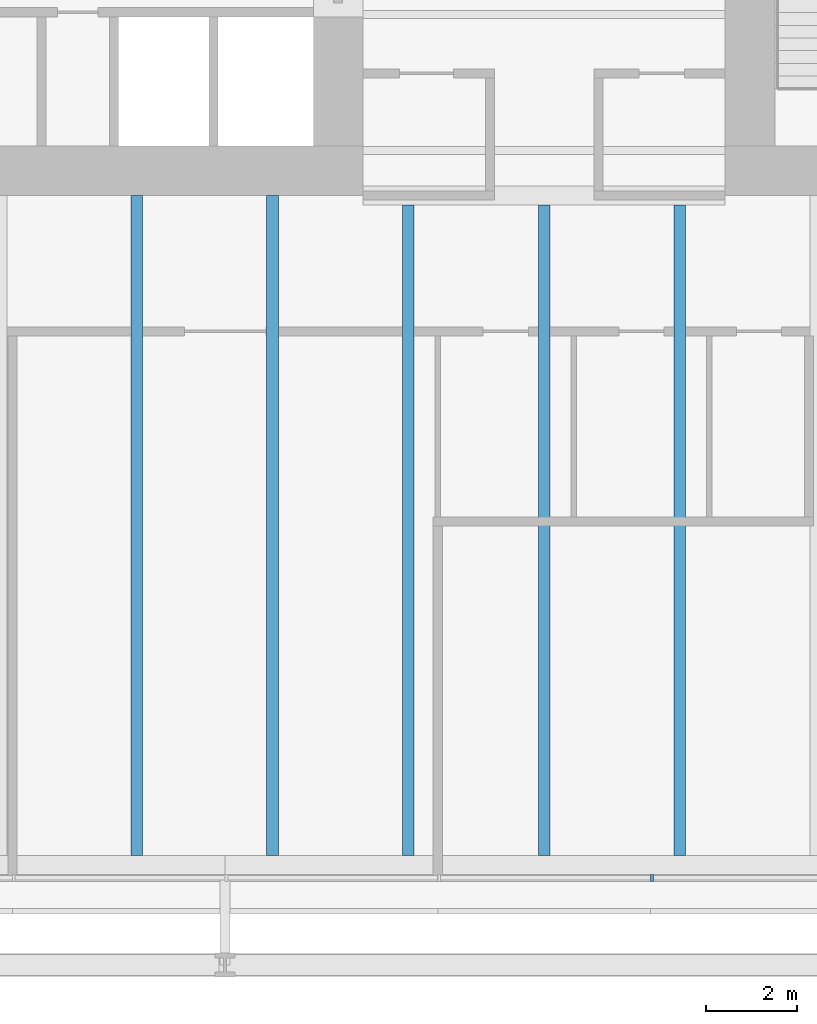
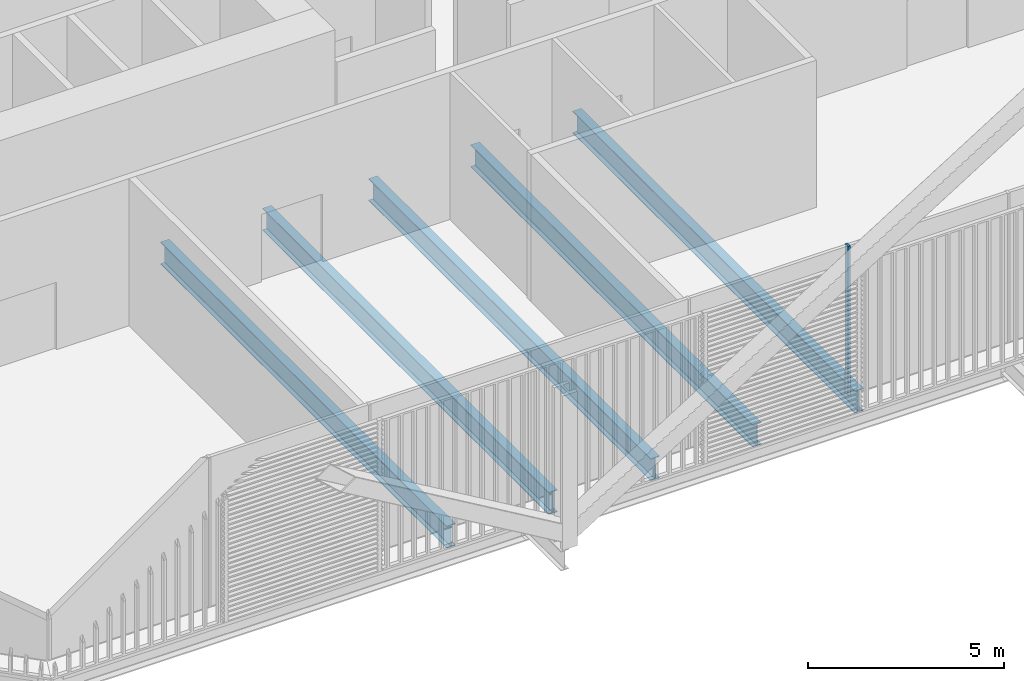
# One storey, part 4 of 22: 5 beams, 1 member, 1 element without a shape of its own.
"""IFC4 building model written with IfcOpenShell, lengths in metres."""

from ifc_helpers import new_model, si_unit, direction, frame, origin, origin_2d, place, context, subcontext, project, spatial, rectangle, i_section, extrude, material, layer, layer_set, material_profile, profile_set, type_object, element, aggregate, save


model = new_model("IFC4")

# Units and contexts
model_context = context("Model", 3, precision=1e-05, world=origin(), true_north=direction((0.0, 1.0)))
body_context = subcontext(model_context, "Body", "Model", "MODEL_VIEW")
ifc_project = project(units=[si_unit("LENGTHUNIT", "METRE"), si_unit("AREAUNIT", "SQUARE_METRE"), si_unit("VOLUMEUNIT", "CUBIC_METRE"), si_unit("PLANEANGLEUNIT", "RADIAN"), si_unit("MASSUNIT", "GRAM", prefix="KILO")], contexts=[model_context])

# Site, building, storey
site_placement = place(None, origin())
site = spatial("IfcSite", under=ifc_project, at=site_placement, CompositionType="ELEMENT")
building_placement = place(site_placement, origin())
building = spatial("IfcBuilding", under=site, at=building_placement, Name="Millrace Tower", CompositionType="ELEMENT")
storey_placement = place(building_placement, frame((0.0, 0.0, 20.89990234375)))
storey = spatial("IfcBuildingStorey", under=building, at=storey_placement, Name="L05", CompositionType="ELEMENT", Elevation=20.89990234375)

# Curtain wall, member
ifc_material_1 = material(Name="Aluminium and glass", Category="aluminium")
ifc_layer = layer(ifc_material_1, 0.14990234375)
ifc_layer_set = layer_set([ifc_layer], Name="Aluminium and glass")
curtain_wall_type = type_object("IfcCurtainWallType", Name="CW-2 data hall insulated curtain wall", PredefinedType="NOTDEFINED", material=ifc_layer_set)
curtain_wall_placement = place(storey_placement, origin())
curtain_wall = element("IfcCurtainWall", 1, at=curtain_wall_placement, inside=storey, type_object=curtain_wall_type, Name="Curtain wall A-F02 L05", PredefinedType="NOTDEFINED")
ifc_material_2 = material(Name="Aluminium", Category="aluminium")
ifc_material_profile_1 = material_profile(ifc_material_2, rectangle(XDim=0.06494140625, YDim=0.14990234375, at=origin_2d()))
ifc_profile_set_1 = profile_set([ifc_material_profile_1], Name="Aluminium")
member_type = type_object("IfcMemberType", Name="CW-2 data hall insulated curtain wall mullion", PredefinedType="MULLION", material=ifc_profile_set_1)
member_placement = place(storey_placement, frame((2.382568359375, -25.074951171875, 0.16015625), z_axis=(0.0, 0.0, 1.0), x_axis=(1.0, 0.0, 0.0)))
member = element("IfcMember", 2, at=member_placement, type_object=member_type, Name="CW2 mullion A-F02.6", PredefinedType="MULLION", context=body_context, shape_type="SweptSolid", body=[
    extrude(rectangle(XDim=0.06494140625, YDim=0.14990234375, at=origin_2d()), origin(), (0.0, 0.0, 1.0), 4.639892578125),
])
aggregate(curtain_wall, [member])

# Beams
ifc_material_3 = material(Name="Steel ASTM A992 Grade 50", Category="steel")
ifc_material_profile_2 = material_profile(ifc_material_3, i_section(OverallWidth=0.256591796875, OverallDepth=0.693359375, WebThickness=0.014404296875, FlangeThickness=0.023681640625, FilletRadius=0.01513671875, at=origin_2d()))
ifc_profile_set_2 = profile_set([ifc_material_profile_2], Name="Steel ASTM A992 Grade 50")
beam_type = type_object("IfcBeamType", Name="Floor beam W27x114", PredefinedType="JOIST", material=ifc_profile_set_2)
for number, where, z_axis, x_axis, name in (
    (3, (-9.0, -24.578369140625, -0.571533203125), (0.0, 1.0, 0.0), (-1.0, 0.0, 0.0), "BM-A-L05-S1-S045"),
    (4, (-6.0, -24.578369140625, -0.571533203125), (0.0, 1.0, 0.0), (-1.0, 0.0, 0.0), "BM-A-L05-S1-S047"),
):
    element("IfcBeam", number, at=place(storey_placement, frame(where, z_axis=z_axis, x_axis=x_axis)), inside=storey, type_object=beam_type, Name=name, PredefinedType="JOIST", context=body_context, shape_type="SweptSolid", body=[
        extrude(i_section(OverallWidth=0.256591796875, OverallDepth=0.693359375, WebThickness=0.014404296875, FlangeThickness=0.023681640625, FilletRadius=0.01513671875, at=origin_2d()), origin(), (0.0, 0.0, 1.0), 14.578369140625),
    ])
for number, where, z_axis, x_axis, name in (
    (5, (-3.0, -24.578369140625, -0.571533203125), (0.0, 1.0, 0.0), (-1.0, 0.0, 0.0), "BM-A-L05-S1-S049"),
    (6, (0.0, -24.578369140625, -0.571533203125), (0.0, 1.0, 0.0), (-1.0, 0.0, 0.0), "BM-A-L05-S1-S051"),
    (7, (3.0, -24.578369140625, -0.571533203125), (0.0, 1.0, 0.0), (-1.0, 0.0, 0.0), "BM-A-L05-S1-S053"),
):
    element("IfcBeam", number, at=place(storey_placement, frame(where, z_axis=z_axis, x_axis=x_axis)), inside=storey, type_object=beam_type, Name=name, PredefinedType="JOIST", context=body_context, shape_type="SweptSolid", body=[
        extrude(i_section(OverallWidth=0.256591796875, OverallDepth=0.693359375, WebThickness=0.014404296875, FlangeThickness=0.023681640625, FilletRadius=0.01513671875, at=origin_2d()), origin(), (0.0, 0.0, 1.0), 14.3662109375),
    ])

save(model, "model.ifc")
